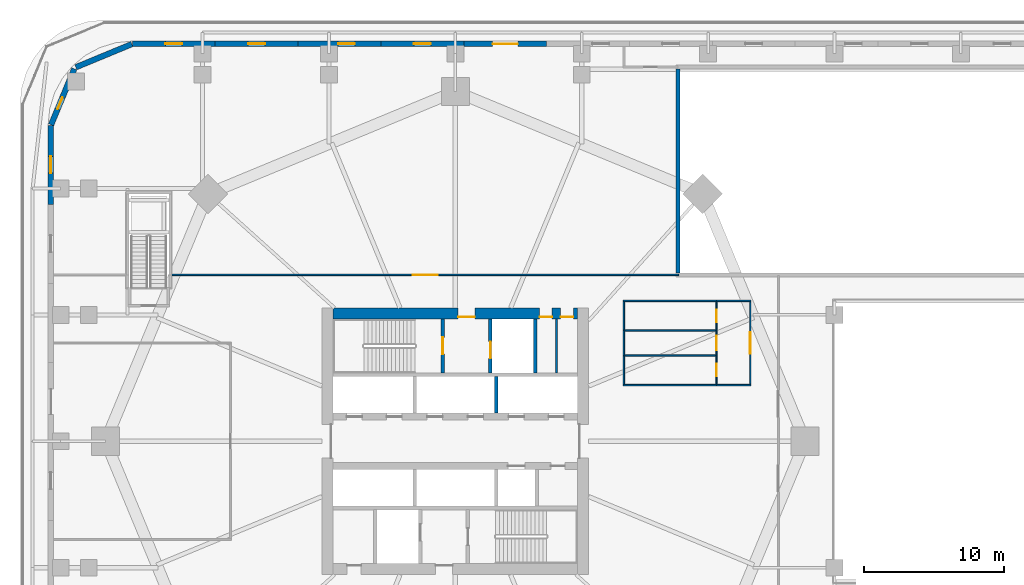
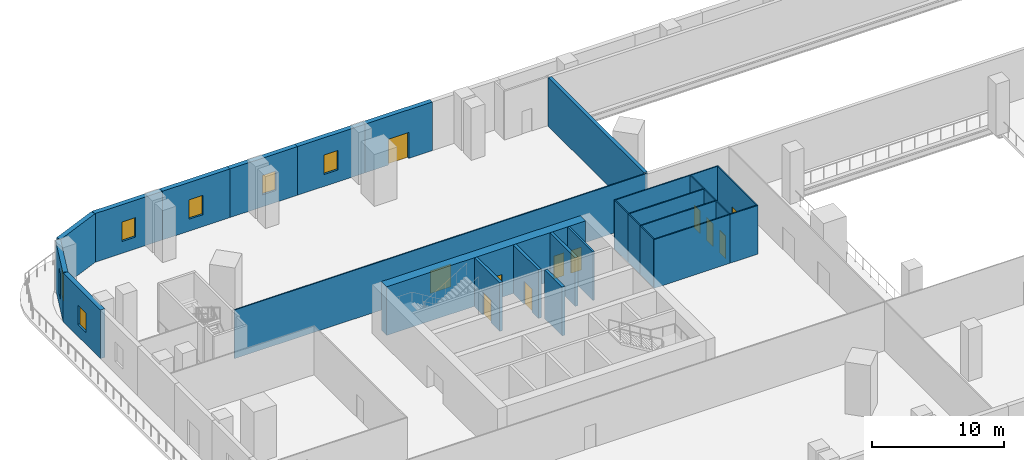
# One storey, part 6 of 17: 29 walls, 11 doors, 6 windows, 17 openings.
"""IFC4 building model written with IfcOpenShell, lengths in metres."""

from ifc_helpers import new_model, si_unit, direction, frame, frame_2d, origin, place, context, subcontext, project, spatial, rectangle, extrude, material, layer, layer_set, type_object, element, fill, save


model = new_model("IFC4")

# Units and contexts
model_context = context("Model", 3, precision=1e-05, world=origin(), true_north=direction((0.0, 1.0)))
body_context = subcontext(model_context, "Body", "Model", "MODEL_VIEW")
ifc_project = project(units=[si_unit("LENGTHUNIT", "METRE"), si_unit("AREAUNIT", "SQUARE_METRE"), si_unit("VOLUMEUNIT", "CUBIC_METRE"), si_unit("PLANEANGLEUNIT", "RADIAN"), si_unit("MASSUNIT", "GRAM", prefix="KILO")], contexts=[model_context])

# Site, building, storey
site_placement = place(None, origin())
site = spatial("IfcSite", under=ifc_project, at=site_placement, CompositionType="ELEMENT")
building_placement = place(site_placement, origin())
building = spatial("IfcBuilding", under=site, at=building_placement, Name="Ogive Gate Towers", CompositionType="ELEMENT")
storey_placement = place(building_placement, frame((0.0, 0.0, 18.0)))
storey = spatial("IfcBuildingStorey", under=building, at=storey_placement, Name="L03", CompositionType="ELEMENT", Elevation=18.0)

# Wall, openings, doors
ifc_material_1 = material(Name="Concrete C60/75", Category="concrete")
ifc_layer_1 = layer(ifc_material_1, 0.800048828125)
ifc_layer_set_1 = layer_set([ifc_layer_1], Name="Core wall 800 mm")
wall_type_1 = type_object("IfcWallType", Name="Core wall 800 mm", PredefinedType="SHEAR", material=ifc_layer_set_1)
wall_1_placement = place(storey_placement, frame((-44.699951171875, 9.10009765625, 0.0), z_axis=(0.0, 0.0, 1.0), x_axis=(1.0, 0.0, 0.0)))
wall_1 = element("IfcWall", 1, at=wall_1_placement, inside=storey, type_object=wall_type_1, Name="T1 L03 Core wall 800 mm", PredefinedType="SHEAR", context=body_context, shape_type="SweptSolid", body=[
    extrude(rectangle(XDim=17.39990234375, YDim=0.800048828125, at=frame_2d((8.699951171875, 0.0))), origin(), (0.0, 0.0, 1.0), 4.5),
])
opening_1_placement = place(wall_1_placement, frame((8.89990234375, 0.0, 0.0)))
opening_1 = element("IfcOpeningElement", 2, at=opening_1_placement, cuts=wall_1, Name="Opening KD-T1-L03-15", PredefinedType="OPENING", context=body_context, shape_type="SweptSolid", body=[
    extrude(rectangle(XDim=1.199951171875, YDim=2.10009765625, at=frame_2d((0.60009765625, 1.050048828125))), frame((0.0, 0.41015625, 0.0), z_axis=(0.0, -1.0, 0.0), x_axis=(1.0, 0.0, 0.0)), (0.0, 0.0, 1.0), 0.820068359375),
])
opening_2_placement = place(wall_1_placement, frame((14.699951171875, 0.0, 0.0)))
opening_2 = element("IfcOpeningElement", 3, at=opening_2_placement, cuts=wall_1, Name="Opening KD-T1-L03-17", PredefinedType="OPENING", context=body_context, shape_type="SweptSolid", body=[
    extrude(rectangle(XDim=0.89990234375, YDim=2.10009765625, at=frame_2d((0.449951171875, 1.050048828125))), frame((0.0, 0.41015625, 0.0), z_axis=(0.0, -1.0, 0.0), x_axis=(1.0, 0.0, 0.0)), (0.0, 0.0, 1.0), 0.820068359375),
])
opening_3_placement = place(wall_1_placement, frame((16.199951171875, 0.0, 0.0)))
opening_3 = element("IfcOpeningElement", 4, at=opening_3_placement, cuts=wall_1, Name="Opening KD-T1-L03-18", PredefinedType="OPENING", context=body_context, shape_type="SweptSolid", body=[
    extrude(rectangle(XDim=0.89990234375, YDim=2.10009765625, at=frame_2d((0.449951171875, 1.050048828125))), frame((0.0, 0.41015625, 0.0), z_axis=(0.0, -1.0, 0.0), x_axis=(1.0, 0.0, 0.0)), (0.0, 0.0, 1.0), 0.820068359375),
])
ifc_material_2 = material(Name="Timber door", Category="wood")
door_type_1 = type_object("IfcDoorType", Name="Core WC door 900 x 2100", OperationType="NOTDEFINED", PredefinedType="DOOR", material=ifc_material_2)
door_1_placement = place(opening_2_placement, origin())
door_1 = element("IfcDoor", 5, at=door_1_placement, inside=storey, type_object=door_type_1, Name="T1 L03 Core door", OperationType="SINGLE_SWING_RIGHT", OverallHeight=2.10009765625, OverallWidth=0.89990234375, PredefinedType="DOOR", context=body_context, shape_type="SweptSolid", body=[
    extrude(rectangle(XDim=0.89990234375, YDim=2.10009765625, at=frame_2d((0.449951171875, 1.050048828125))), frame((0.0, -0.22509765625, 0.0), z_axis=(0.0, -1.0, 0.0), x_axis=(1.0, 0.0, 0.0)), (0.0, 0.0, 1.0), 0.050048828125),
])
fill(opening_2, door_1)
door_2_placement = place(opening_3_placement, origin())
door_2 = element("IfcDoor", 6, at=door_2_placement, inside=storey, type_object=door_type_1, Name="T1 L03 Core door", OperationType="SINGLE_SWING_LEFT", OverallHeight=2.10009765625, OverallWidth=0.89990234375, PredefinedType="DOOR", context=body_context, shape_type="SweptSolid", body=[
    extrude(rectangle(XDim=0.89990234375, YDim=2.10009765625, at=frame_2d((0.449951171875, 1.050048828125))), frame((0.0, -0.22509765625, 0.0), z_axis=(0.0, -1.0, 0.0), x_axis=(1.0, 0.0, 0.0)), (0.0, 0.0, 1.0), 0.050048828125),
])
fill(opening_3, door_2)
ifc_material_3 = material(Name="Steel fire door", Category="steel")
door_type_2 = type_object("IfcDoorType", Name="Core door FD60S 1200 x 2100", OperationType="NOTDEFINED", PredefinedType="DOOR", material=ifc_material_3)
door_3_placement = place(opening_1_placement, origin())
door_3 = element("IfcDoor", 7, at=door_3_placement, inside=storey, type_object=door_type_2, Name="T1 L03 Fire-fighting lobby door", OperationType="SINGLE_SWING_RIGHT", OverallHeight=2.10009765625, OverallWidth=1.199951171875, PredefinedType="DOOR", context=body_context, shape_type="SweptSolid", body=[
    extrude(rectangle(XDim=1.199951171875, YDim=2.10009765625, at=frame_2d((0.60009765625, 1.050048828125))), frame((0.0, -0.22509765625, 0.0), z_axis=(0.0, -1.0, 0.0), x_axis=(1.0, 0.0, 0.0)), (0.0, 0.0, 1.0), 0.050048828125),
])
fill(opening_1, door_3)

# Wall, opening, door
ifc_material_4 = material(Name="Gypsum board partition")
ifc_layer_2 = layer(ifc_material_4, 0.10009765625)
ifc_layer_set_2 = layer_set([ifc_layer_2], Name="Partition wall 100")
wall_type_2 = type_object("IfcWallType", Name="Partition wall 100", PredefinedType="PARTITIONING", material=ifc_layer_set_2)
wall_2_placement = place(storey_placement, frame((-56.199951171875, 11.85009765625, 0.0), z_axis=(0.0, 0.0, 1.0), x_axis=(1.0, 0.0, 0.0)))
wall_2 = element("IfcWall", 8, at=wall_2_placement, inside=storey, type_object=wall_type_2, Name="L03 partition 021", PredefinedType="PARTITIONING", context=body_context, shape_type="SweptSolid", body=[
    extrude(rectangle(XDim=36.099853515625, YDim=0.10009765625, at=frame_2d((18.0498046875, 0.0))), origin(), (0.0, 0.0, 1.0), 4.5),
])
opening_4_placement = place(wall_2_placement, frame((17.14990234375, 0.0, 0.0)))
opening_4 = element("IfcOpeningElement", 9, at=opening_4_placement, cuts=wall_2, Name="Opening PO182", PredefinedType="OPENING", context=body_context, shape_type="SweptSolid", body=[
    extrude(rectangle(XDim=1.800048828125, YDim=2.10009765625, at=frame_2d((0.89990234375, 1.050048828125))), frame((0.0, 0.06005859375, 0.0), z_axis=(0.0, -1.0, 0.0), x_axis=(1.0, 0.0, 0.0)), (0.0, 0.0, 1.0), 0.1201171875),
])
door_type_3 = type_object("IfcDoorType", Name="Double door 1800 x 2100", OperationType="NOTDEFINED", PredefinedType="DOOR", material=ifc_material_2)
door_4_placement = place(opening_4_placement, origin())
door_4 = element("IfcDoor", 10, at=door_4_placement, inside=storey, type_object=door_type_3, Name="Door PO182", OperationType="DOUBLE_DOOR_DOUBLE_SWING", OverallHeight=2.10009765625, OverallWidth=1.800048828125, PredefinedType="DOOR", context=body_context, shape_type="SweptSolid", body=[
    extrude(rectangle(XDim=1.800048828125, YDim=2.10009765625, at=frame_2d((0.89990234375, 1.050048828125))), frame((0.0, 0.02490234375, 0.0), z_axis=(0.0, -1.0, 0.0), x_axis=(1.0, 0.0, 0.0)), (0.0, 0.0, 1.0), 0.050048828125),
])
fill(opening_4, door_4)

wall_3_placement = place(storey_placement, frame((-17.39990234375, 4.050048828125, 0.0), z_axis=(0.0, 0.0, 1.0), x_axis=(0.0, 1.0, 0.0)))
wall_3 = element("IfcWall", 11, at=wall_3_placement, inside=storey, type_object=wall_type_2, Name="L03 partition 039", PredefinedType="PARTITIONING", context=body_context, shape_type="SweptSolid", body=[
    extrude(rectangle(XDim=2.050048828125, YDim=0.10009765625, at=frame_2d((1.02490234375, 0.0))), origin(), (0.0, 0.0, 1.0), 4.5),
])
opening_5_placement = place(wall_3_placement, frame((0.574951171875, 0.0, 0.0)))
opening_5 = element("IfcOpeningElement", 12, at=opening_5_placement, cuts=wall_3, Name="Opening PO190", PredefinedType="OPENING", context=body_context, shape_type="SweptSolid", body=[
    extrude(rectangle(XDim=0.89990234375, YDim=2.10009765625, at=frame_2d((0.449951171875, 1.050048828125))), frame((0.0, 0.06005859375, 0.0), z_axis=(0.0, -1.0, 0.0), x_axis=(1.0, 0.0, 0.0)), (0.0, 0.0, 1.0), 0.1201171875),
])
door_type_4 = type_object("IfcDoorType", Name="Door 900 x 2100", OperationType="NOTDEFINED", PredefinedType="DOOR", material=ifc_material_2)
door_5_placement = place(opening_5_placement, origin())
door_5 = element("IfcDoor", 13, at=door_5_placement, inside=storey, type_object=door_type_4, Name="Door PO190", OperationType="SINGLE_SWING_RIGHT", OverallHeight=2.10009765625, OverallWidth=0.89990234375, PredefinedType="DOOR", context=body_context, shape_type="SweptSolid", body=[
    extrude(rectangle(XDim=0.89990234375, YDim=2.10009765625, at=frame_2d((0.449951171875, 1.050048828125))), frame((0.0, 0.02490234375, 0.0), z_axis=(0.0, -1.0, 0.0), x_axis=(1.0, 0.0, 0.0)), (0.0, 0.0, 1.0), 0.050048828125),
])
fill(opening_5, door_5)

wall_4_placement = place(storey_placement, frame((-17.39990234375, 6.10009765625, 0.0), z_axis=(0.0, 0.0, 1.0), x_axis=(0.0, 1.0, 0.0)))
wall_4 = element("IfcWall", 14, at=wall_4_placement, inside=storey, type_object=wall_type_2, Name="L03 partition 040", PredefinedType="PARTITIONING", context=body_context, shape_type="SweptSolid", body=[
    extrude(rectangle(XDim=1.7998046875, YDim=0.10009765625, at=frame_2d((0.89990234375, 0.0))), origin(), (0.0, 0.0, 1.0), 4.5),
])
opening_6_placement = place(wall_4_placement, frame((0.39990234375, 0.0, 0.0)))
opening_6 = element("IfcOpeningElement", 15, at=opening_6_placement, cuts=wall_4, Name="Opening PO191", PredefinedType="OPENING", context=body_context, shape_type="SweptSolid", body=[
    extrude(rectangle(XDim=1.0, YDim=2.10009765625, at=frame_2d((0.5, 1.050048828125))), frame((0.0, 0.06005859375, 0.0), z_axis=(0.0, -1.0, 0.0), x_axis=(1.0, 0.0, 0.0)), (0.0, 0.0, 1.0), 0.1201171875),
])
door_type_5 = type_object("IfcDoorType", Name="Door 1000 x 2100", OperationType="NOTDEFINED", PredefinedType="DOOR", material=ifc_material_2)
door_6_placement = place(opening_6_placement, origin())
door_6 = element("IfcDoor", 16, at=door_6_placement, inside=storey, type_object=door_type_5, Name="Door PO191", OperationType="SINGLE_SWING_LEFT", OverallHeight=2.10009765625, OverallWidth=1.0, PredefinedType="DOOR", context=body_context, shape_type="SweptSolid", body=[
    extrude(rectangle(XDim=1.0, YDim=2.10009765625, at=frame_2d((0.5, 1.050048828125))), frame((0.0, 0.02490234375, 0.0), z_axis=(0.0, -1.0, 0.0), x_axis=(1.0, 0.0, 0.0)), (0.0, 0.0, 1.0), 0.050048828125),
])
fill(opening_6, door_6)

wall_5_placement = place(storey_placement, frame((-17.39990234375, 7.89990234375, 0.0), z_axis=(0.0, 0.0, 1.0), x_axis=(0.0, 1.0, 0.0)))
wall_5 = element("IfcWall", 17, at=wall_5_placement, inside=storey, type_object=wall_type_2, Name="L03 partition 041", PredefinedType="PARTITIONING", context=body_context, shape_type="SweptSolid", body=[
    extrude(rectangle(XDim=2.050048828125, YDim=0.10009765625, at=frame_2d((1.02490234375, 0.0))), origin(), (0.0, 0.0, 1.0), 4.5),
])
opening_7_placement = place(wall_5_placement, frame((0.574951171875, 0.0, 0.0)))
opening_7 = element("IfcOpeningElement", 18, at=opening_7_placement, cuts=wall_5, Name="Opening PO192", PredefinedType="OPENING", context=body_context, shape_type="SweptSolid", body=[
    extrude(rectangle(XDim=0.89990234375, YDim=2.10009765625, at=frame_2d((0.449951171875, 1.050048828125))), frame((0.0, 0.06005859375, 0.0), z_axis=(0.0, -1.0, 0.0), x_axis=(1.0, 0.0, 0.0)), (0.0, 0.0, 1.0), 0.1201171875),
])
door_7_placement = place(opening_7_placement, origin())
door_7 = element("IfcDoor", 19, at=door_7_placement, inside=storey, type_object=door_type_4, Name="Door PO192", OperationType="SINGLE_SWING_RIGHT", OverallHeight=2.10009765625, OverallWidth=0.89990234375, PredefinedType="DOOR", context=body_context, shape_type="SweptSolid", body=[
    extrude(rectangle(XDim=0.89990234375, YDim=2.10009765625, at=frame_2d((0.449951171875, 1.050048828125))), frame((0.0, 0.02490234375, 0.0), z_axis=(0.0, -1.0, 0.0), x_axis=(1.0, 0.0, 0.0)), (0.0, 0.0, 1.0), 0.050048828125),
])
fill(opening_7, door_7)

# Walls
for number, where, z_axis, x_axis, name in (
    (20, (-17.39990234375, 4.0, 0.0), (0.0, 0.0, 1.0), (1.0, 0.0, 0.0), "L03 partition 042"),
    (21, (-17.39990234375, 10.0, 0.0), (0.0, 0.0, 1.0), (1.0, 0.0, 0.0), "L03 partition 043"),
):
    element("IfcWall", number, at=place(storey_placement, frame(where, z_axis=z_axis, x_axis=x_axis)), inside=storey, type_object=wall_type_2, Name=name, PredefinedType="PARTITIONING", context=body_context, shape_type="SweptSolid", body=[
        extrude(rectangle(XDim=2.449951171875, YDim=0.10009765625, at=frame_2d((1.22509765625, 0.0))), origin(), (0.0, 0.0, 1.0), 4.5),
    ])

# Wall, opening, door
wall_6_placement = place(storey_placement, frame((-15.0, 4.050048828125, 0.0), z_axis=(0.0, 0.0, 1.0), x_axis=(0.0, 1.0, 0.0)))
wall_6 = element("IfcWall", 22, at=wall_6_placement, inside=storey, type_object=wall_type_2, Name="L03 partition 044", PredefinedType="PARTITIONING", context=body_context, shape_type="SweptSolid", body=[
    extrude(rectangle(XDim=5.89990234375, YDim=0.10009765625, at=frame_2d((2.949951171875, 0.0))), origin(), (0.0, 0.0, 1.0), 4.5),
])
opening_8_placement = place(wall_6_placement, frame((2.199951171875, 0.0, 0.0)))
opening_8 = element("IfcOpeningElement", 23, at=opening_8_placement, cuts=wall_6, Name="Opening PO189", PredefinedType="OPENING", context=body_context, shape_type="SweptSolid", body=[
    extrude(rectangle(XDim=1.5, YDim=2.10009765625, at=frame_2d((0.75, 1.050048828125))), frame((0.0, 0.06005859375, 0.0), z_axis=(0.0, -1.0, 0.0), x_axis=(1.0, 0.0, 0.0)), (0.0, 0.0, 1.0), 0.1201171875),
])
door_type_6 = type_object("IfcDoorType", Name="Double door 1500 x 2100", OperationType="NOTDEFINED", PredefinedType="DOOR", material=ifc_material_2)
door_8_placement = place(opening_8_placement, origin())
door_8 = element("IfcDoor", 24, at=door_8_placement, inside=storey, type_object=door_type_6, Name="Door PO189", OperationType="DOUBLE_DOOR_DOUBLE_SWING", OverallHeight=2.10009765625, OverallWidth=1.5, PredefinedType="DOOR", context=body_context, shape_type="SweptSolid", body=[
    extrude(rectangle(XDim=1.5, YDim=2.10009765625, at=frame_2d((0.75, 1.050048828125))), frame((0.0, 0.02490234375, 0.0), z_axis=(0.0, -1.0, 0.0), x_axis=(1.0, 0.0, 0.0)), (0.0, 0.0, 1.0), 0.050048828125),
])
fill(opening_8, door_8)

# Walls
wall_7_placement = place(storey_placement, frame((-23.949951171875, 6.10009765625, 0.0), z_axis=(0.0, 0.0, 1.0), x_axis=(1.0, 0.0, 0.0)))
element("IfcWall", 25, at=wall_7_placement, inside=storey, type_object=wall_type_2, Name="L03 partition 045", PredefinedType="PARTITIONING", context=body_context, shape_type="SweptSolid", body=[
    extrude(rectangle(XDim=6.5, YDim=0.10009765625, at=frame_2d((3.25, 0.0))), origin(), (0.0, 0.0, 1.0), 4.5),
])
wall_8_placement = place(storey_placement, frame((-24.050048828125, 4.0, 0.0), z_axis=(0.0, 0.0, 1.0), x_axis=(1.0, 0.0, 0.0)))
element("IfcWall", 26, at=wall_8_placement, inside=storey, type_object=wall_type_2, Name="L03 partition 046", PredefinedType="PARTITIONING", context=body_context, shape_type="SweptSolid", body=[
    extrude(rectangle(XDim=6.650146484375, YDim=0.10009765625, at=frame_2d((3.3251953125, 0.0))), origin(), (0.0, 0.0, 1.0), 4.5),
])
wall_9_placement = place(storey_placement, frame((-24.0, 4.050048828125, 0.0), z_axis=(0.0, 0.0, 1.0), x_axis=(0.0, 1.0, 0.0)))
element("IfcWall", 27, at=wall_9_placement, inside=storey, type_object=wall_type_2, Name="L03 partition 047", PredefinedType="PARTITIONING", context=body_context, shape_type="SweptSolid", body=[
    extrude(rectangle(XDim=2.050048828125, YDim=0.10009765625, at=frame_2d((1.02490234375, 0.0))), origin(), (0.0, 0.0, 1.0), 4.5),
])
wall_10_placement = place(storey_placement, frame((-23.949951171875, 7.89990234375, 0.0), z_axis=(0.0, 0.0, 1.0), x_axis=(1.0, 0.0, 0.0)))
element("IfcWall", 28, at=wall_10_placement, inside=storey, type_object=wall_type_2, Name="L03 partition 048", PredefinedType="PARTITIONING", context=body_context, shape_type="SweptSolid", body=[
    extrude(rectangle(XDim=6.5, YDim=0.10009765625, at=frame_2d((3.25, 0.0))), origin(), (0.0, 0.0, 1.0), 4.5),
])
wall_11_placement = place(storey_placement, frame((-24.0, 6.10009765625, 0.0), z_axis=(0.0, 0.0, 1.0), x_axis=(0.0, 1.0, 0.0)))
element("IfcWall", 29, at=wall_11_placement, inside=storey, type_object=wall_type_2, Name="L03 partition 049", PredefinedType="PARTITIONING", context=body_context, shape_type="SweptSolid", body=[
    extrude(rectangle(XDim=1.7998046875, YDim=0.10009765625, at=frame_2d((0.89990234375, 0.0))), origin(), (0.0, 0.0, 1.0), 4.5),
])
wall_12_placement = place(storey_placement, frame((-24.050048828125, 10.0, 0.0), z_axis=(0.0, 0.0, 1.0), x_axis=(1.0, 0.0, 0.0)))
element("IfcWall", 30, at=wall_12_placement, inside=storey, type_object=wall_type_2, Name="L03 partition 050", PredefinedType="PARTITIONING", context=body_context, shape_type="SweptSolid", body=[
    extrude(rectangle(XDim=6.650146484375, YDim=0.10009765625, at=frame_2d((3.3251953125, 0.0))), origin(), (0.0, 0.0, 1.0), 4.5),
])
wall_13_placement = place(storey_placement, frame((-24.0, 7.89990234375, 0.0), z_axis=(0.0, 0.0, 1.0), x_axis=(0.0, 1.0, 0.0)))
element("IfcWall", 31, at=wall_13_placement, inside=storey, type_object=wall_type_2, Name="L03 partition 051", PredefinedType="PARTITIONING", context=body_context, shape_type="SweptSolid", body=[
    extrude(rectangle(XDim=2.050048828125, YDim=0.10009765625, at=frame_2d((1.02490234375, 0.0))), origin(), (0.0, 0.0, 1.0), 4.5),
])
ifc_material_5 = material(Name="Acoustic masonry wall", Category="masonry")
ifc_layer_3 = layer(ifc_material_5, 0.300048828125)
ifc_layer_set_3 = layer_set([ifc_layer_3], Name="Partition wall 300")
wall_type_3 = type_object("IfcWallType", Name="Partition wall 300", PredefinedType="PARTITIONING", material=ifc_layer_set_3)
wall_14_placement = place(storey_placement, frame((-20.14990234375, 12.0, 0.0), z_axis=(0.0, 0.0, 1.0), x_axis=(0.0, 1.0, 0.0)))
element("IfcWall", 32, at=wall_14_placement, inside=storey, type_object=wall_type_3, Name="L03 wall 054", PredefinedType="PARTITIONING", context=body_context, shape_type="SweptSolid", body=[
    extrude(rectangle(XDim=14.5, YDim=0.300048828125, at=frame_2d((7.25, 0.0))), origin(), (0.0, 0.0, 1.0), 4.5),
])

# Wall, opening, door
ifc_material_6 = material(Name="Precast concrete C40/50", Category="concrete")
ifc_layer_4 = layer(ifc_material_6, 0.39990234375)
ifc_layer_set_4 = layer_set([ifc_layer_4], Name="Podium wall 400")
wall_type_4 = type_object("IfcWallType", Name="Podium wall 400", PredefinedType="SOLIDWALL", material=ifc_layer_set_4)
wall_15_placement = place(storey_placement, frame((-29.5, 28.300048828125, 0.0), z_axis=(0.0, 0.0, 1.0), x_axis=(-1.0, 0.0, 0.0)))
wall_15 = element("IfcWall", 33, at=wall_15_placement, inside=storey, type_object=wall_type_4, Name="Podium wall", PredefinedType="SOLIDWALL", context=body_context, shape_type="SweptSolid", body=[
    extrude(rectangle(XDim=5.89990234375, YDim=0.39990234375, at=frame_2d((2.949951171875, 0.0))), origin(), (0.0, 0.0, 1.0), 4.5),
])
opening_9_placement = place(wall_15_placement, frame((2.050048828125, 0.0, 0.0)))
opening_9 = element("IfcOpeningElement", 34, at=opening_9_placement, cuts=wall_15, Name="Opening ED3-L03-03", PredefinedType="OPENING", context=body_context, shape_type="SweptSolid", body=[
    extrude(rectangle(XDim=1.800048828125, YDim=2.39990234375, at=frame_2d((0.89990234375, 1.199951171875))), frame((0.0, 0.2099609375, 0.0), z_axis=(0.0, -1.0, 0.0), x_axis=(1.0, 0.0, 0.0)), (0.0, 0.0, 1.0), 0.419921875),
])
ifc_material_7 = material(Name="Pale metal aluminium", Category="aluminium")
door_type_7 = type_object("IfcDoorType", Name="Terrace door 1800 x 2400", OperationType="DOUBLE_DOOR_SINGLE_SWING", PredefinedType="DOOR", material=ifc_material_7)
door_9_placement = place(opening_9_placement, origin())
door_9 = element("IfcDoor", 35, at=door_9_placement, inside=storey, type_object=door_type_7, Name="Exterior door", OperationType="SINGLE_SWING_LEFT", OverallHeight=2.39990234375, OverallWidth=1.800048828125, PredefinedType="DOOR", context=body_context, shape_type="SweptSolid", body=[
    extrude(rectangle(XDim=1.800048828125, YDim=2.39990234375, at=frame_2d((0.89990234375, 1.199951171875))), frame((0.0, 0.02490234375, 0.0), z_axis=(0.0, -1.0, 0.0), x_axis=(1.0, 0.0, 0.0)), (0.0, 0.0, 1.0), 0.050048828125),
])
fill(opening_9, door_9)

# Wall, opening, window
wall_16_placement = place(storey_placement, frame((-35.39990234375, 28.300048828125, 0.0), z_axis=(0.0, 0.0, 1.0), x_axis=(-1.0, 0.0, 0.0)))
wall_16 = element("IfcWall", 36, at=wall_16_placement, inside=storey, type_object=wall_type_4, Name="Podium wall", PredefinedType="SOLIDWALL", context=body_context, shape_type="SweptSolid", body=[
    extrude(rectangle(XDim=5.900146484375, YDim=0.39990234375, at=frame_2d((2.9501953125, 0.0))), origin(), (0.0, 0.0, 1.0), 4.5),
])
opening_10_placement = place(wall_16_placement, frame((2.35009765625, 0.0, 1.10009765625)))
opening_10 = element("IfcOpeningElement", 37, at=opening_10_placement, cuts=wall_16, Name="Opening WN3", PredefinedType="OPENING", context=body_context, shape_type="SweptSolid", body=[
    extrude(rectangle(XDim=1.199951171875, YDim=1.800048828125, at=frame_2d((0.60009765625, 0.89990234375))), frame((0.0, 0.2099609375, 0.0), z_axis=(0.0, -1.0, 0.0), x_axis=(1.0, 0.0, 0.0)), (0.0, 0.0, 1.0), 0.419921875),
])
ifc_material_8 = material(Name="Clear glass", Category="glass")
window_type_1 = type_object("IfcWindowType", Name="Podium window 1200 x 1800", PartitioningType="SINGLE_PANEL", PredefinedType="WINDOW", material=ifc_material_8)
window_1_placement = place(opening_10_placement, origin())
window_1 = element("IfcWindow", 38, at=window_1_placement, inside=storey, type_object=window_type_1, Name="Podium window", OverallHeight=1.800048828125, OverallWidth=1.199951171875, PartitioningType="SINGLE_PANEL", PredefinedType="WINDOW", context=body_context, shape_type="SweptSolid", body=[
    extrude(rectangle(XDim=1.199951171875, YDim=1.800048828125, at=frame_2d((0.60009765625, 0.89990234375))), frame((0.0, 0.030029296875, 0.0), z_axis=(0.0, -1.0, 0.0), x_axis=(1.0, 0.0, 0.0)), (0.0, 0.0, 1.0), 0.06005859375),
])
fill(opening_10, window_1)

wall_17_placement = place(storey_placement, frame((-41.300048828125, 28.300048828125, 0.0), z_axis=(0.0, 0.0, 1.0), x_axis=(-1.0, 0.0, 0.0)))
wall_17 = element("IfcWall", 39, at=wall_17_placement, inside=storey, type_object=wall_type_4, Name="Podium wall", PredefinedType="SOLIDWALL", context=body_context, shape_type="SweptSolid", body=[
    extrude(rectangle(XDim=5.89990234375, YDim=0.39990234375, at=frame_2d((2.949951171875, 0.0))), origin(), (0.0, 0.0, 1.0), 4.5),
])
opening_11_placement = place(wall_17_placement, frame((1.85009765625, 0.0, 1.10009765625)))
opening_11 = element("IfcOpeningElement", 40, at=opening_11_placement, cuts=wall_17, Name="Opening WN3", PredefinedType="OPENING", context=body_context, shape_type="SweptSolid", body=[
    extrude(rectangle(XDim=1.199951171875, YDim=1.800048828125, at=frame_2d((0.60009765625, 0.89990234375))), frame((0.0, 0.2099609375, 0.0), z_axis=(0.0, -1.0, 0.0), x_axis=(1.0, 0.0, 0.0)), (0.0, 0.0, 1.0), 0.419921875),
])
window_2_placement = place(opening_11_placement, origin())
window_2 = element("IfcWindow", 41, at=window_2_placement, inside=storey, type_object=window_type_1, Name="Podium window", OverallHeight=1.800048828125, OverallWidth=1.199951171875, PartitioningType="SINGLE_PANEL", PredefinedType="WINDOW", context=body_context, shape_type="SweptSolid", body=[
    extrude(rectangle(XDim=1.199951171875, YDim=1.800048828125, at=frame_2d((0.60009765625, 0.89990234375))), frame((0.0, 0.030029296875, 0.0), z_axis=(0.0, -1.0, 0.0), x_axis=(1.0, 0.0, 0.0)), (0.0, 0.0, 1.0), 0.06005859375),
])
fill(opening_11, window_2)

wall_18_placement = place(storey_placement, frame((-47.199951171875, 28.300048828125, 0.0), z_axis=(0.0, 0.0, 1.0), x_axis=(-1.0, 0.0, 0.0)))
wall_18 = element("IfcWall", 42, at=wall_18_placement, inside=storey, type_object=wall_type_4, Name="Podium wall", PredefinedType="SOLIDWALL", context=body_context, shape_type="SweptSolid", body=[
    extrude(rectangle(XDim=5.900146484375, YDim=0.39990234375, at=frame_2d((2.9501953125, 0.0))), origin(), (0.0, 0.0, 1.0), 4.5),
])
opening_12_placement = place(wall_18_placement, frame((2.35009765625, 0.0, 1.10009765625)))
opening_12 = element("IfcOpeningElement", 43, at=opening_12_placement, cuts=wall_18, Name="Opening WN3", PredefinedType="OPENING", context=body_context, shape_type="SweptSolid", body=[
    extrude(rectangle(XDim=1.199951171875, YDim=1.800048828125, at=frame_2d((0.60009765625, 0.89990234375))), frame((0.0, 0.2099609375, 0.0), z_axis=(0.0, -1.0, 0.0), x_axis=(1.0, 0.0, 0.0)), (0.0, 0.0, 1.0), 0.419921875),
])
window_3_placement = place(opening_12_placement, origin())
window_3 = element("IfcWindow", 44, at=window_3_placement, inside=storey, type_object=window_type_1, Name="Podium window", OverallHeight=1.800048828125, OverallWidth=1.199951171875, PartitioningType="SINGLE_PANEL", PredefinedType="WINDOW", context=body_context, shape_type="SweptSolid", body=[
    extrude(rectangle(XDim=1.199951171875, YDim=1.800048828125, at=frame_2d((0.60009765625, 0.89990234375))), frame((0.0, 0.030029296875, 0.0), z_axis=(0.0, -1.0, 0.0), x_axis=(1.0, 0.0, 0.0)), (0.0, 0.0, 1.0), 0.06005859375),
])
fill(opening_12, window_3)

wall_19_placement = place(storey_placement, frame((-53.10009765625, 28.300048828125, 0.0), z_axis=(0.0, 0.0, 1.0), x_axis=(-1.0, 0.0, 0.0)))
wall_19 = element("IfcWall", 45, at=wall_19_placement, inside=storey, type_object=wall_type_4, Name="Podium wall", PredefinedType="SOLIDWALL", context=body_context, shape_type="SweptSolid", body=[
    extrude(rectangle(XDim=5.89990234375, YDim=0.39990234375, at=frame_2d((2.949951171875, 0.0))), origin(), (0.0, 0.0, 1.0), 4.5),
])
opening_13_placement = place(wall_19_placement, frame((2.35009765625, 0.0, 1.10009765625)))
opening_13 = element("IfcOpeningElement", 46, at=opening_13_placement, cuts=wall_19, Name="Opening WN3", PredefinedType="OPENING", context=body_context, shape_type="SweptSolid", body=[
    extrude(rectangle(XDim=1.199951171875, YDim=1.800048828125, at=frame_2d((0.60009765625, 0.89990234375))), frame((0.0, 0.2099609375, 0.0), z_axis=(0.0, -1.0, 0.0), x_axis=(1.0, 0.0, 0.0)), (0.0, 0.0, 1.0), 0.419921875),
])
window_4_placement = place(opening_13_placement, origin())
window_4 = element("IfcWindow", 47, at=window_4_placement, inside=storey, type_object=window_type_1, Name="Podium window", OverallHeight=1.800048828125, OverallWidth=1.199951171875, PartitioningType="SINGLE_PANEL", PredefinedType="WINDOW", context=body_context, shape_type="SweptSolid", body=[
    extrude(rectangle(XDim=1.199951171875, YDim=1.800048828125, at=frame_2d((0.60009765625, 0.89990234375))), frame((0.0, 0.030029296875, 0.0), z_axis=(0.0, -1.0, 0.0), x_axis=(1.0, 0.0, 0.0)), (0.0, 0.0, 1.0), 0.06005859375),
])
fill(opening_13, window_4)

# Wall
wall_20_placement = place(storey_placement, frame((-59.036865234375, 28.284912109375, 0.0), z_axis=(0.0, 0.0, 1.0), x_axis=(-0.923854820772, -0.382743086333, 0.0)))
element("IfcWall", 48, at=wall_20_placement, inside=storey, type_object=wall_type_4, Name="Podium wall", PredefinedType="SOLIDWALL", context=body_context, shape_type="SweptSolid", body=[
    extrude(rectangle(XDim=4.31640625, YDim=0.39990234375, at=frame_2d((2.158203125, 0.0))), origin(), (0.0, 0.0, 1.0), 4.5),
])

# Wall, opening, window
wall_21_placement = place(storey_placement, frame((-63.1328125, 26.524658203125, 0.0), z_axis=(0.0, 0.0, 1.0), x_axis=(-0.382743086333, -0.923854820772, 0.0)))
wall_21 = element("IfcWall", 49, at=wall_21_placement, inside=storey, type_object=wall_type_4, Name="Podium wall", PredefinedType="SOLIDWALL", context=body_context, shape_type="SweptSolid", body=[
    extrude(rectangle(XDim=4.31640625, YDim=0.39990234375, at=frame_2d((2.158203125, 0.0))), origin(), (0.0, 0.0, 1.0), 4.5),
])
opening_14_placement = place(wall_21_placement, frame((2.208251953125, 0.0, 1.0)))
opening_14 = element("IfcOpeningElement", 50, at=opening_14_placement, cuts=wall_21, Name="Opening WN5", PredefinedType="OPENING", context=body_context, shape_type="SweptSolid", body=[
    extrude(rectangle(XDim=0.89990234375, YDim=2.39990234375, at=frame_2d((0.449951171875, 1.199951171875))), frame((0.0, 0.2099609375, 0.0), z_axis=(0.0, -1.0, 0.0), x_axis=(1.0, 0.0, 0.0)), (0.0, 0.0, 1.0), 0.419921875),
])
window_type_2 = type_object("IfcWindowType", Name="Narrow window 900 x 2400", PartitioningType="SINGLE_PANEL", PredefinedType="WINDOW", material=ifc_material_8)
window_5_placement = place(opening_14_placement, origin())
window_5 = element("IfcWindow", 51, at=window_5_placement, inside=storey, type_object=window_type_2, Name="Podium window", OverallHeight=2.39990234375, OverallWidth=0.89990234375, PartitioningType="SINGLE_PANEL", PredefinedType="WINDOW", context=body_context, shape_type="SweptSolid", body=[
    extrude(rectangle(XDim=0.89990234375, YDim=2.39990234375, at=frame_2d((0.449951171875, 1.199951171875))), frame((0.0, 0.030029296875, 0.0), z_axis=(0.0, -1.0, 0.0), x_axis=(1.0, 0.0, 0.0)), (0.0, 0.0, 1.0), 0.06005859375),
])
fill(opening_14, window_5)

wall_22_placement = place(storey_placement, frame((-64.800048828125, 22.5, 0.0), z_axis=(0.0, 0.0, 1.0), x_axis=(0.0, -1.0, 0.0)))
wall_22 = element("IfcWall", 52, at=wall_22_placement, inside=storey, type_object=wall_type_4, Name="Podium wall", PredefinedType="SOLIDWALL", context=body_context, shape_type="SweptSolid", body=[
    extrude(rectangle(XDim=5.625, YDim=0.39990234375, at=frame_2d((2.8125, 0.0))), origin(), (0.0, 0.0, 1.0), 4.5),
])
opening_15_placement = place(wall_22_placement, frame((2.21240234375, 0.0, 1.10009765625)))
opening_15 = element("IfcOpeningElement", 53, at=opening_15_placement, cuts=wall_22, Name="Opening WN3", PredefinedType="OPENING", context=body_context, shape_type="SweptSolid", body=[
    extrude(rectangle(XDim=1.199951171875, YDim=1.800048828125, at=frame_2d((0.60009765625, 0.89990234375))), frame((0.0, 0.2099609375, 0.0), z_axis=(0.0, -1.0, 0.0), x_axis=(1.0, 0.0, 0.0)), (0.0, 0.0, 1.0), 0.419921875),
])
window_6_placement = place(opening_15_placement, origin())
window_6 = element("IfcWindow", 54, at=window_6_placement, inside=storey, type_object=window_type_1, Name="Podium window", OverallHeight=1.800048828125, OverallWidth=1.199951171875, PartitioningType="SINGLE_PANEL", PredefinedType="WINDOW", context=body_context, shape_type="SweptSolid", body=[
    extrude(rectangle(XDim=1.199951171875, YDim=1.800048828125, at=frame_2d((0.60009765625, 0.89990234375))), frame((0.0, 0.030029296875, 0.0), z_axis=(0.0, -1.0, 0.0), x_axis=(1.0, 0.0, 0.0)), (0.0, 0.0, 1.0), 0.06005859375),
])
fill(opening_15, window_6)

# Wall
ifc_layer_5 = layer(ifc_material_4, 0.14990234375)
ifc_layer_set_5 = layer_set([ifc_layer_5], Name="Room partition 150 mm")
wall_type_5 = type_object("IfcWallType", Name="Room partition 150 mm", PredefinedType="PARTITIONING", material=ifc_layer_set_5)
wall_23_placement = place(storey_placement, frame((-28.800048828125, 4.875, 0.0), z_axis=(0.0, 0.0, 1.0), x_axis=(0.0, 1.0, 0.0)))
element("IfcWall", 55, at=wall_23_placement, inside=storey, type_object=wall_type_5, Name="T1 L03 Room partition 150 mm", PredefinedType="PARTITIONING", context=body_context, shape_type="SweptSolid", body=[
    extrude(rectangle(XDim=3.824951171875, YDim=0.14990234375, at=frame_2d((1.91259765625, 0.0))), origin(), (0.0, 0.0, 1.0), 4.5),
])

# Wall, opening, door
ifc_layer_6 = layer(ifc_material_1, 0.25)
ifc_layer_set_6 = layer_set([ifc_layer_6], Name="Shaft wall 250 mm")
wall_type_6 = type_object("IfcWallType", Name="Shaft wall 250 mm", PredefinedType="SHEAR", material=ifc_layer_set_6)
wall_24_placement = place(storey_placement, frame((-36.89990234375, 4.875, 0.0), z_axis=(0.0, 0.0, 1.0), x_axis=(0.0, 1.0, 0.0)))
wall_24 = element("IfcWall", 56, at=wall_24_placement, inside=storey, type_object=wall_type_6, Name="T1 L03 Shaft wall 250 mm", PredefinedType="SHEAR", context=body_context, shape_type="SweptSolid", body=[
    extrude(rectangle(XDim=3.824951171875, YDim=0.25, at=frame_2d((1.91259765625, 0.0))), origin(), (0.0, 0.0, 1.0), 4.5),
])
opening_16_placement = place(wall_24_placement, frame((1.324951171875, 0.0, 0.0)))
opening_16 = element("IfcOpeningElement", 57, at=opening_16_placement, cuts=wall_24, Name="Opening KD-T1-L03-13", PredefinedType="OPENING", context=body_context, shape_type="SweptSolid", body=[
    extrude(rectangle(XDim=1.199951171875, YDim=2.10009765625, at=frame_2d((0.60009765625, 1.050048828125))), frame((0.0, 0.135009765625, 0.0), z_axis=(0.0, -1.0, 0.0), x_axis=(1.0, 0.0, 0.0)), (0.0, 0.0, 1.0), 0.27001953125),
])
door_10_placement = place(opening_16_placement, origin())
door_10 = element("IfcDoor", 58, at=door_10_placement, inside=storey, type_object=door_type_2, Name="T1 L03 Stair door", OperationType="SINGLE_SWING_RIGHT", OverallHeight=2.10009765625, OverallWidth=1.199951171875, PredefinedType="DOOR", context=body_context, shape_type="SweptSolid", body=[
    extrude(rectangle(XDim=1.199951171875, YDim=2.10009765625, at=frame_2d((0.60009765625, 1.050048828125))), frame((0.0, 0.02490234375, 0.0), z_axis=(0.0, -1.0, 0.0), x_axis=(1.0, 0.0, 0.0)), (0.0, 0.0, 1.0), 0.050048828125),
])
fill(opening_16, door_10)

wall_25_placement = place(storey_placement, frame((-33.5, 4.875, 0.0), z_axis=(0.0, 0.0, 1.0), x_axis=(0.0, 1.0, 0.0)))
wall_25 = element("IfcWall", 59, at=wall_25_placement, inside=storey, type_object=wall_type_6, Name="T1 L03 Shaft wall 250 mm", PredefinedType="SHEAR", context=body_context, shape_type="SweptSolid", body=[
    extrude(rectangle(XDim=3.824951171875, YDim=0.25, at=frame_2d((1.91259765625, 0.0))), origin(), (0.0, 0.0, 1.0), 4.5),
])
opening_17_placement = place(wall_25_placement, frame((1.02490234375, 0.0, 0.0)))
opening_17 = element("IfcOpeningElement", 60, at=opening_17_placement, cuts=wall_25, Name="Opening LD-T1-L03-10", PredefinedType="OPENING", context=body_context, shape_type="SweptSolid", body=[
    extrude(rectangle(XDim=1.199951171875, YDim=2.10009765625, at=frame_2d((0.60009765625, 1.050048828125))), frame((0.0, 0.135009765625, 0.0), z_axis=(0.0, -1.0, 0.0), x_axis=(1.0, 0.0, 0.0)), (0.0, 0.0, 1.0), 0.27001953125),
])
ifc_material_9 = material(Name="Stainless steel landing door", Category="steel")
door_type_8 = type_object("IfcDoorType", Name="Landing door 1200 x 2100", OperationType="SLIDING_TO_LEFT", PredefinedType="DOOR", material=ifc_material_9)
door_11_placement = place(opening_17_placement, origin())
door_11 = element("IfcDoor", 61, at=door_11_placement, inside=storey, type_object=door_type_8, Name="T1 L03 Lift landing door FF1", OperationType="SLIDING_TO_LEFT", OverallHeight=2.10009765625, OverallWidth=1.199951171875, PredefinedType="DOOR", context=body_context, shape_type="SweptSolid", body=[
    extrude(rectangle(XDim=1.199951171875, YDim=2.10009765625, at=frame_2d((0.60009765625, 1.050048828125))), frame((0.0, 0.02490234375, 0.0), z_axis=(0.0, -1.0, 0.0), x_axis=(1.0, 0.0, 0.0)), (0.0, 0.0, 1.0), 0.050048828125),
])
fill(opening_17, door_11)

# Walls
wall_26_placement = place(storey_placement, frame((-33.10009765625, 2.0, 0.0), z_axis=(0.0, 0.0, 1.0), x_axis=(0.0, 1.0, 0.0)))
element("IfcWall", 62, at=wall_26_placement, inside=storey, type_object=wall_type_6, Name="T1 L03 Shaft wall 250 mm", PredefinedType="SHEAR", context=body_context, shape_type="SweptSolid", body=[
    extrude(rectangle(XDim=2.625, YDim=0.25, at=frame_2d((1.3125, 0.0))), origin(), (0.0, 0.0, 1.0), 4.5),
])
wall_27_placement = place(storey_placement, frame((-30.300048828125, 4.875, 0.0), z_axis=(0.0, 0.0, 1.0), x_axis=(0.0, 1.0, 0.0)))
element("IfcWall", 63, at=wall_27_placement, inside=storey, type_object=wall_type_6, Name="T1 L03 Shaft wall 250 mm", PredefinedType="SHEAR", context=body_context, shape_type="SweptSolid", body=[
    extrude(rectangle(XDim=3.824951171875, YDim=0.25, at=frame_2d((1.91259765625, 0.0))), origin(), (0.0, 0.0, 1.0), 4.5),
])

save(model, "model.ifc")
